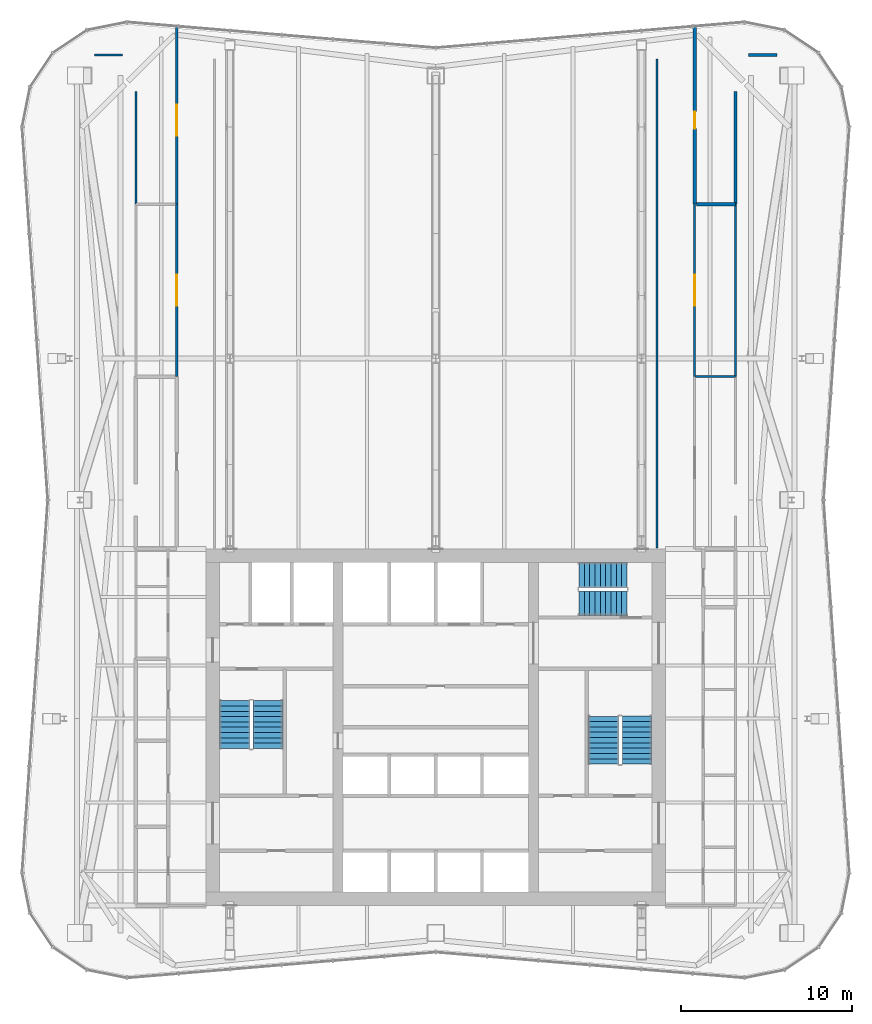
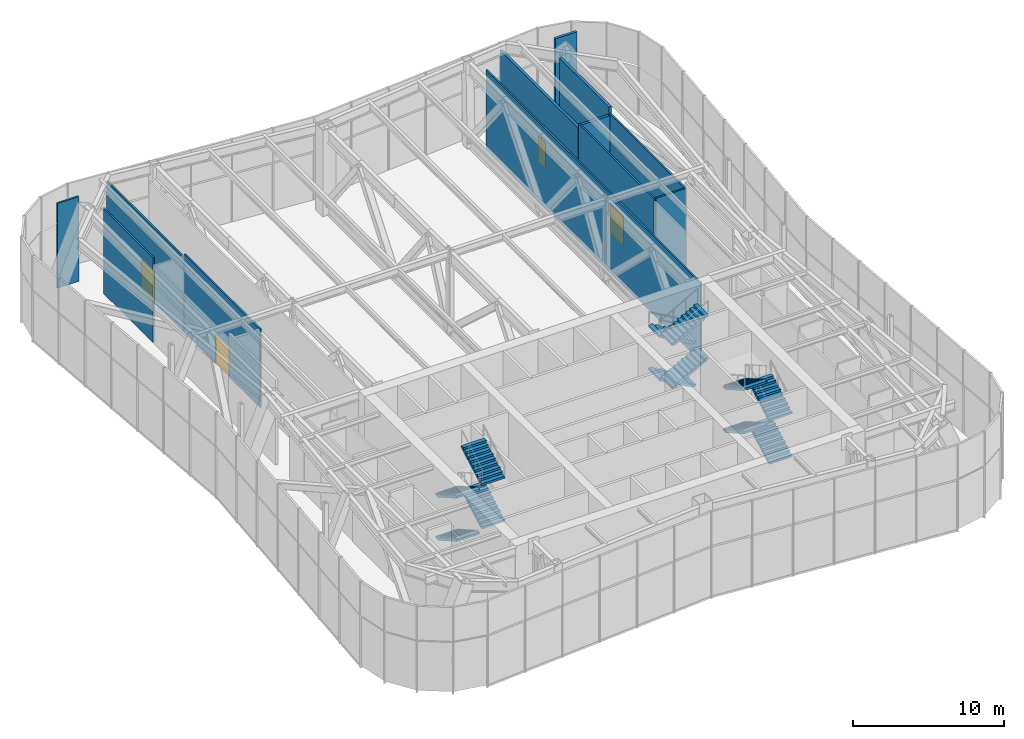
# One storey, part 14 of 17: 12 stair flights, 12 walls, 4 doors, 4 openings, 3 elements without a shape of their own.
"""IFC4 building model written with IfcOpenShell, lengths in metres."""

from ifc_helpers import new_model, si_unit, direction, frame, frame_2d, origin, place, context, subcontext, project, spatial, polyline, rectangle, outline, extrude, material, layer, layer_set, type_object, element, fill, aggregate, save


model = new_model("IFC4")

# Units and contexts
model_context = context("Model", 3, precision=1e-05, world=origin(), true_north=direction((0.0, 1.0)))
body_context = subcontext(model_context, "Body", "Model", "MODEL_VIEW")
ifc_project = project(units=[si_unit("LENGTHUNIT", "METRE"), si_unit("AREAUNIT", "SQUARE_METRE"), si_unit("VOLUMEUNIT", "CUBIC_METRE"), si_unit("PLANEANGLEUNIT", "RADIAN"), si_unit("MASSUNIT", "GRAM", prefix="KILO")], contexts=[model_context])

# Site, building, storey
site_placement = place(None, origin())
site = spatial("IfcSite", under=ifc_project, at=site_placement, CompositionType="ELEMENT")
building_placement = place(site_placement, origin())
building = spatial("IfcBuilding", under=site, at=building_placement, Name="Verdant Reach Tower", CompositionType="ELEMENT")
storey_placement = place(building_placement, frame((0.0, 0.0, 282.0)))
storey = spatial("IfcBuildingStorey", under=building, at=storey_placement, Name="L65 Plant", CompositionType="ELEMENT", Elevation=282.0)

# Wall, opening, door
ifc_material_1 = material(Name="Gypsum board on steel studs, fire rated", Category="steel")
ifc_layer_1 = layer(ifc_material_1, 0.125)
ifc_layer_set_1 = layer_set([ifc_layer_1], Name="SV-W2 Plant wall 125 EI 60")
wall_type_1 = type_object("IfcWallType", Name="SV-W2 Plant wall 125 EI 60", PredefinedType="PARTITIONING", material=ifc_layer_set_1)
wall_1_placement = place(storey_placement, frame((15.10009765625, 48.448974609375, 0.0), z_axis=(0.0, 0.0, 1.0), x_axis=(0.0, 1.0, 0.0)))
wall_1 = element("IfcWall", 1, at=wall_1_placement, inside=storey, type_object=wall_type_1, Name="Partition L65.08", PredefinedType="PARTITIONING", context=body_context, shape_type="SweptSolid", body=[
    extrude(rectangle(XDim=10.049072265625, YDim=0.125, at=frame_2d((5.0244140625, 0.0))), origin(), (0.0, 0.0, 1.0), 6.35009765625),
])
opening_1_placement = place(wall_1_placement, frame((4.12451171875, 0.0, 0.0)))
opening_1 = element("IfcOpeningElement", 2, at=opening_1_placement, cuts=wall_1, Name="Opening SD3", PredefinedType="OPENING", context=body_context, shape_type="SweptSolid", body=[
    extrude(rectangle(XDim=1.800048828125, YDim=2.39990234375, at=frame_2d((0.89990234375, 1.199951171875))), frame((0.0, 0.072509765625, 0.0), z_axis=(0.0, -1.0, 0.0), x_axis=(1.0, 0.0, 0.0)), (0.0, 0.0, 1.0), 0.14501953125),
])
ifc_material_2 = material(Name="Steel door leaves, fire rated", Category="steel")
door_type_1 = type_object("IfcDoorType", Name="SV-D3 Equipment door 1800x2400 FD60", OperationType="DOUBLE_DOOR_SINGLE_SWING", PredefinedType="DOOR", material=ifc_material_2)
door_1_placement = place(opening_1_placement, origin())
door_1 = element("IfcDoor", 3, at=door_1_placement, inside=storey, type_object=door_type_1, Name="Door L65-007", OperationType="DOUBLE_DOOR_SINGLE_SWING", OverallHeight=2.39990234375, OverallWidth=1.800048828125, PredefinedType="DOOR", context=body_context, shape_type="SweptSolid", body=[
    extrude(rectangle(XDim=1.800048828125, YDim=2.39990234375, at=frame_2d((0.89990234375, 1.199951171875))), frame((0.0, 0.02490234375, 0.0), z_axis=(0.0, -1.0, 0.0), x_axis=(1.0, 0.0, 0.0)), (0.0, 0.0, 1.0), 0.050048828125),
])
fill(opening_1, door_1)

# Wall
wall_2_placement = place(storey_placement, frame((15.16259765625, 48.448974609375, 0.0), z_axis=(0.0, 0.0, 1.0), x_axis=(1.0, 0.0, 0.0)))
element("IfcWall", 4, at=wall_2_placement, inside=storey, type_object=wall_type_1, Name="Partition L65.15", PredefinedType="PARTITIONING", context=body_context, shape_type="SweptSolid", body=[
    extrude(rectangle(XDim=2.3193359375, YDim=0.125, at=frame_2d((1.15966796875, 0.0))), origin(), (0.0, 0.0, 1.0), 6.389892578125),
])

# Wall, opening, door
wall_3_placement = place(storey_placement, frame((-15.10009765625, 58.498046875, 0.0), z_axis=(0.0, 0.0, 1.0), x_axis=(0.0, -1.0, 0.0)))
wall_3 = element("IfcWall", 5, at=wall_3_placement, inside=storey, type_object=wall_type_1, Name="Partition L65.24", PredefinedType="PARTITIONING", context=body_context, shape_type="SweptSolid", body=[
    extrude(rectangle(XDim=10.049072265625, YDim=0.125, at=frame_2d((5.0244140625, 0.0))), origin(), (0.0, 0.0, 1.0), 6.35009765625),
])
opening_2_placement = place(wall_3_placement, frame((4.12451171875, 0.0, 0.0)))
opening_2 = element("IfcOpeningElement", 6, at=opening_2_placement, cuts=wall_3, Name="Opening SD3", PredefinedType="OPENING", context=body_context, shape_type="SweptSolid", body=[
    extrude(rectangle(XDim=1.800048828125, YDim=2.39990234375, at=frame_2d((0.89990234375, 1.199951171875))), frame((0.0, 0.072509765625, 0.0), z_axis=(0.0, -1.0, 0.0), x_axis=(1.0, 0.0, 0.0)), (0.0, 0.0, 1.0), 0.14501953125),
])
door_2_placement = place(opening_2_placement, origin())
door_2 = element("IfcDoor", 7, at=door_2_placement, inside=storey, type_object=door_type_1, Name="Door L65-015", OperationType="DOUBLE_DOOR_SINGLE_SWING", OverallHeight=2.39990234375, OverallWidth=1.800048828125, PredefinedType="DOOR", context=body_context, shape_type="SweptSolid", body=[
    extrude(rectangle(XDim=1.800048828125, YDim=2.39990234375, at=frame_2d((0.89990234375, 1.199951171875))), frame((0.0, 0.02490234375, 0.0), z_axis=(0.0, -1.0, 0.0), x_axis=(1.0, 0.0, 0.0)), (0.0, 0.0, 1.0), 0.050048828125),
])
fill(opening_2, door_2)

wall_4_placement = place(storey_placement, frame((-15.10009765625, 68.83837890625, 0.0), z_axis=(0.0, 0.0, 1.0), x_axis=(0.0, -1.0, 0.0)))
wall_4 = element("IfcWall", 8, at=wall_4_placement, inside=storey, type_object=wall_type_1, Name="Partition L65.25", PredefinedType="PARTITIONING", context=body_context, shape_type="SweptSolid", body=[
    extrude(rectangle(XDim=10.34033203125, YDim=0.125, at=frame_2d((5.170166015625, 0.0))), origin(), (0.0, 0.0, 1.0), 6.0400390625),
])
opening_3_placement = place(wall_4_placement, frame((4.535888671875, 0.0, 0.0)))
opening_3 = element("IfcOpeningElement", 9, at=opening_3_placement, cuts=wall_4, Name="Opening SD3", PredefinedType="OPENING", context=body_context, shape_type="SweptSolid", body=[
    extrude(rectangle(XDim=1.800048828125, YDim=2.39990234375, at=frame_2d((0.89990234375, 1.199951171875))), frame((0.0, 0.072509765625, 0.0), z_axis=(0.0, -1.0, 0.0), x_axis=(1.0, 0.0, 0.0)), (0.0, 0.0, 1.0), 0.14501953125),
])
door_3_placement = place(opening_3_placement, origin())
door_3 = element("IfcDoor", 10, at=door_3_placement, inside=storey, type_object=door_type_1, Name="Door L65-016", OperationType="DOUBLE_DOOR_SINGLE_SWING", OverallHeight=2.39990234375, OverallWidth=1.800048828125, PredefinedType="DOOR", context=body_context, shape_type="SweptSolid", body=[
    extrude(rectangle(XDim=1.800048828125, YDim=2.39990234375, at=frame_2d((0.89990234375, 1.199951171875))), frame((0.0, 0.02490234375, 0.0), z_axis=(0.0, -1.0, 0.0), x_axis=(1.0, 0.0, 0.0)), (0.0, 0.0, 1.0), 0.050048828125),
])
fill(opening_3, door_3)

# Walls
wall_5_placement = place(storey_placement, frame((12.89990234375, 38.449951171875, 0.0), z_axis=(0.0, 0.0, 1.0), x_axis=(0.0, 1.0, 0.0)))
element("IfcWall", 11, at=wall_5_placement, inside=storey, type_object=wall_type_1, Name="Partition L65.33", PredefinedType="PARTITIONING", context=body_context, shape_type="SweptSolid", body=[
    extrude(rectangle(XDim=28.508056640625, YDim=0.125, at=frame_2d((14.25390625, 0.0))), origin(), (0.0, 0.0, 1.0), 6.35009765625),
])
wall_6_placement = place(storey_placement, frame((17.48193359375, 58.49609375, 0.0), z_axis=(0.0, 0.0, 1.0), x_axis=(0.0, -1.0, 0.0)))
element("IfcWall", 12, at=wall_6_placement, inside=storey, type_object=wall_type_1, Name="Partition L65.43", PredefinedType="PARTITIONING", context=body_context, shape_type="SweptSolid", body=[
    extrude(rectangle(XDim=10.045166015625, YDim=0.125, at=frame_2d((5.0224609375, 0.0))), origin(), (0.0, 0.0, 1.0), 6.35009765625),
])
wall_7_placement = place(storey_placement, frame((-17.48193359375, 58.5, 0.0), z_axis=(0.0, 0.0, 1.0), x_axis=(0.0, 1.0, 0.0)))
element("IfcWall", 13, at=wall_7_placement, inside=storey, type_object=wall_type_1, Name="Partition L65.57", PredefinedType="PARTITIONING", context=body_context, shape_type="SweptSolid", body=[
    extrude(rectangle(XDim=6.5791015625, YDim=0.125, at=frame_2d((3.28955078125, 0.0))), origin(), (0.0, 0.0, 1.0), 6.8701171875),
])
wall_8_placement = place(storey_placement, frame((-18.25, 67.199951171875, 0.0), z_axis=(0.0, 0.0, 1.0), x_axis=(-1.0, 0.0, 0.0)))
element("IfcWall", 14, at=wall_8_placement, inside=storey, type_object=wall_type_1, Name="Partition L65.58", PredefinedType="PARTITIONING", context=body_context, shape_type="SweptSolid", body=[
    extrude(rectangle(XDim=1.64990234375, YDim=0.125, at=frame_2d((0.824951171875, 0.0))), origin(), (0.0, 0.0, 1.0), 6.8701171875),
])

# Wall, opening, door
ifc_material_3 = material(Name="Calcium silicate board on steel studs, fire rated", Category="steel")
ifc_layer_2 = layer(ifc_material_3, 0.199951171875)
ifc_layer_set_2 = layer_set([ifc_layer_2], Name="SV-W3 Fire wall 200 EI 120")
wall_type_2 = type_object("IfcWallType", Name="SV-W3 Fire wall 200 EI 120", PredefinedType="PARTITIONING", material=ifc_layer_set_2)
wall_9_placement = place(storey_placement, frame((15.10009765625, 58.498046875, 0.0), z_axis=(0.0, 0.0, 1.0), x_axis=(0.0, 1.0, 0.0)))
wall_9 = element("IfcWall", 15, at=wall_9_placement, inside=storey, type_object=wall_type_2, Name="Partition L65.09", PredefinedType="PARTITIONING", context=body_context, shape_type="SweptSolid", body=[
    extrude(rectangle(XDim=10.34033203125, YDim=0.199951171875, at=frame_2d((5.170166015625, 0.0))), origin(), (0.0, 0.0, 1.0), 6.0400390625),
])
opening_4_placement = place(wall_9_placement, frame((4.404541015625, 0.0, 0.0)))
opening_4 = element("IfcOpeningElement", 16, at=opening_4_placement, cuts=wall_9, Name="Opening SD4", PredefinedType="OPENING", context=body_context, shape_type="SweptSolid", body=[
    extrude(rectangle(XDim=1.0, YDim=2.10009765625, at=frame_2d((0.5, 1.050048828125))), frame((0.0, 0.10986328125, 0.0), z_axis=(0.0, -1.0, 0.0), x_axis=(1.0, 0.0, 0.0)), (0.0, 0.0, 1.0), 0.219970703125),
])
ifc_material_4 = material(Name="Steel door leaf, fire rated", Category="steel")
door_type_2 = type_object("IfcDoorType", Name="SV-D4 Door 1000x2100 FD120", OperationType="NOTDEFINED", PredefinedType="DOOR", material=ifc_material_4)
door_4_placement = place(opening_4_placement, origin())
door_4 = element("IfcDoor", 17, at=door_4_placement, inside=storey, type_object=door_type_2, Name="Door L65-008", OperationType="SINGLE_SWING_LEFT", OverallHeight=2.10009765625, OverallWidth=1.0, PredefinedType="DOOR", context=body_context, shape_type="SweptSolid", body=[
    extrude(rectangle(XDim=1.0, YDim=2.10009765625, at=frame_2d((0.5, 1.050048828125))), frame((0.0, 0.02490234375, 0.0), z_axis=(0.0, -1.0, 0.0), x_axis=(1.0, 0.0, 0.0)), (0.0, 0.0, 1.0), 0.050048828125),
])
fill(opening_4, door_4)

# Walls
wall_10_placement = place(storey_placement, frame((15.199951171875, 58.498046875, 0.0), z_axis=(0.0, 0.0, 1.0), x_axis=(1.0, 0.0, 0.0)))
element("IfcWall", 18, at=wall_10_placement, inside=storey, type_object=wall_type_2, Name="Partition L65.16", PredefinedType="PARTITIONING", context=body_context, shape_type="SweptSolid", body=[
    extrude(rectangle(XDim=2.281982421875, YDim=0.199951171875, at=frame_2d((1.14111328125, 0.0))), origin(), (0.0, 0.0, 1.0), 6.239990234375),
])
wall_11_placement = place(storey_placement, frame((19.89990234375, 67.199951171875, 0.0), z_axis=(0.0, 0.0, 1.0), x_axis=(-1.0, 0.0, 0.0)))
element("IfcWall", 19, at=wall_11_placement, inside=storey, type_object=wall_type_2, Name="Partition L65.44", PredefinedType="PARTITIONING", context=body_context, shape_type="SweptSolid", body=[
    extrude(rectangle(XDim=1.64990234375, YDim=0.199951171875, at=frame_2d((0.824951171875, 0.0))), origin(), (0.0, 0.0, 1.0), 6.8701171875),
])
wall_12_placement = place(storey_placement, frame((17.48193359375, 65.0791015625, 0.0), z_axis=(0.0, 0.0, 1.0), x_axis=(0.0, -1.0, 0.0)))
element("IfcWall", 20, at=wall_12_placement, inside=storey, type_object=wall_type_2, Name="Partition L65.45", PredefinedType="PARTITIONING", context=body_context, shape_type="SweptSolid", body=[
    extrude(rectangle(XDim=6.5791015625, YDim=0.199951171875, at=frame_2d((3.28955078125, 0.0))), origin(), (0.0, 0.0, 1.0), 6.8701171875),
])

# Stair, stair flights
ifc_material_5 = material(Name="Concrete C40/50", Category="concrete")
stair_type = type_object("IfcStairType", Name="CO-STAIR", PredefinedType="HALF_TURN_STAIR", material=ifc_material_5)
stair_1_placement = place(storey_placement, origin())
stair_1 = element("IfcStair", 21, at=stair_1_placement, inside=storey, type_object=stair_type, Name="L65 Plant Exit stair 1", PredefinedType="HALF_TURN_STAIR")
stair_flight_type = type_object("IfcStairFlightType", Name="CO-STAIR-FLIGHT", PredefinedType="STRAIGHT", material=ifc_material_5)
stair_flight_1_placement = place(storey_placement, frame((-11.72509765625, 29.550048828125, 0.0), z_axis=(0.0, 0.0, 1.0), x_axis=(0.0, -1.0, 0.0)))
stair_flight_1 = element("IfcStairFlight", 22, at=stair_flight_1_placement, type_object=stair_flight_type, Name="ST-1 flight 1", NumberOfRisers=10, NumberOfTreads=9, PredefinedType="STRAIGHT", RiserHeight=0.175, TreadLength=0.31, context=body_context, shape_type="SweptSolid", body=[
    extrude(outline(polyline([(0.0, 0.0), (0.0, 0.175048828125), (0.31005859375, 0.175048828125), (0.31005859375, 0.35009765625), (0.6201171875, 0.35009765625), (0.6201171875, 0.52490234375), (0.929931640625, 0.52490234375), (0.929931640625, 0.699951171875), (1.239990234375, 0.699951171875), (1.239990234375, 0.875), (1.550048828125, 0.875), (1.550048828125, 1.050048828125), (1.860107421875, 1.050048828125), (1.860107421875, 1.22509765625), (2.169921875, 1.22509765625), (2.169921875, 1.39990234375), (2.47998046875, 1.39990234375), (2.47998046875, 1.574951171875), (2.7900390625, 1.574951171875), (2.7900390625, 1.75), (2.7900390625, 1.40283203125), (0.304931640625, 0.0), (0.0, 0.0)])), frame((0.0, 0.875, 0.0), z_axis=(0.0, -1.0, 0.0), x_axis=(1.0, 0.0, 0.0)), (0.0, 0.0, 1.0), 1.75),
])
stair_flight_2_placement = place(storey_placement, frame((-9.77490234375, 26.760009765625, 1.75), z_axis=(0.0, 0.0, 1.0), x_axis=(0.0, 1.0, 0.0)))
stair_flight_2 = element("IfcStairFlight", 23, at=stair_flight_2_placement, type_object=stair_flight_type, Name="ST-1 flight 2", NumberOfRisers=10, NumberOfTreads=9, PredefinedType="STRAIGHT", RiserHeight=0.175, TreadLength=0.31, context=body_context, shape_type="SweptSolid", body=[
    extrude(outline(polyline([(0.0, 0.0), (0.0, 0.175048828125), (0.31005859375, 0.175048828125), (0.31005859375, 0.35009765625), (0.6201171875, 0.35009765625), (0.6201171875, 0.52490234375), (0.929931640625, 0.52490234375), (0.929931640625, 0.699951171875), (1.239990234375, 0.699951171875), (1.239990234375, 0.875), (1.550048828125, 0.875), (1.550048828125, 1.050048828125), (1.860107421875, 1.050048828125), (1.860107421875, 1.22509765625), (2.169921875, 1.22509765625), (2.169921875, 1.39990234375), (2.47998046875, 1.39990234375), (2.47998046875, 1.574951171875), (2.7900390625, 1.574951171875), (2.7900390625, 1.75), (2.7900390625, 1.40283203125), (0.304931640625, 0.0), (0.0, 0.0)])), frame((0.0, 0.875, 0.0), z_axis=(0.0, -1.0, 0.0), x_axis=(1.0, 0.0, 0.0)), (0.0, 0.0, 1.0), 1.75),
])
stair_flight_3_placement = place(storey_placement, frame((-11.72509765625, 29.550048828125, 3.5), z_axis=(0.0, 0.0, 1.0), x_axis=(0.0, -1.0, 0.0)))
stair_flight_3 = element("IfcStairFlight", 24, at=stair_flight_3_placement, type_object=stair_flight_type, Name="ST-1 flight 3", NumberOfRisers=10, NumberOfTreads=9, PredefinedType="STRAIGHT", RiserHeight=0.175, TreadLength=0.31, context=body_context, shape_type="SweptSolid", body=[
    extrude(outline(polyline([(0.0, 0.0), (0.0, 0.175048828125), (0.31005859375, 0.175048828125), (0.31005859375, 0.35009765625), (0.6201171875, 0.35009765625), (0.6201171875, 0.52490234375), (0.929931640625, 0.52490234375), (0.929931640625, 0.699951171875), (1.239990234375, 0.699951171875), (1.239990234375, 0.875), (1.550048828125, 0.875), (1.550048828125, 1.050048828125), (1.860107421875, 1.050048828125), (1.860107421875, 1.22509765625), (2.169921875, 1.22509765625), (2.169921875, 1.39990234375), (2.47998046875, 1.39990234375), (2.47998046875, 1.574951171875), (2.7900390625, 1.574951171875), (2.7900390625, 1.75), (2.7900390625, 1.40283203125), (0.304931640625, 0.0), (0.0, 0.0)])), frame((0.0, 0.875, 0.0), z_axis=(0.0, -1.0, 0.0), x_axis=(1.0, 0.0, 0.0)), (0.0, 0.0, 1.0), 1.75),
])
stair_flight_4_placement = place(storey_placement, frame((-9.77490234375, 26.760009765625, 5.25), z_axis=(0.0, 0.0, 1.0), x_axis=(0.0, 1.0, 0.0)))
stair_flight_4 = element("IfcStairFlight", 25, at=stair_flight_4_placement, type_object=stair_flight_type, Name="ST-1 flight 4", NumberOfRisers=10, NumberOfTreads=9, PredefinedType="STRAIGHT", RiserHeight=0.175, TreadLength=0.31, context=body_context, shape_type="SweptSolid", body=[
    extrude(outline(polyline([(0.0, 0.0), (0.0, 0.175048828125), (0.31005859375, 0.175048828125), (0.31005859375, 0.35009765625), (0.6201171875, 0.35009765625), (0.6201171875, 0.52490234375), (0.929931640625, 0.52490234375), (0.929931640625, 0.699951171875), (1.239990234375, 0.699951171875), (1.239990234375, 0.875), (1.550048828125, 0.875), (1.550048828125, 1.050048828125), (1.860107421875, 1.050048828125), (1.860107421875, 1.22509765625), (2.169921875, 1.22509765625), (2.169921875, 1.39990234375), (2.47998046875, 1.39990234375), (2.47998046875, 1.574951171875), (2.7900390625, 1.574951171875), (2.7900390625, 1.75), (2.7900390625, 1.40283203125), (0.304931640625, 0.0), (0.0, 0.0)])), frame((0.0, 0.875, 0.0), z_axis=(0.0, -1.0, 0.0), x_axis=(1.0, 0.0, 0.0)), (0.0, 0.0, 1.0), 1.75),
])
aggregate(stair_1, [stair_flight_1, stair_flight_2, stair_flight_3, stair_flight_4])

stair_2_placement = place(storey_placement, origin())
stair_2 = element("IfcStair", 26, at=stair_2_placement, inside=storey, type_object=stair_type, Name="L65 Plant Exit stair 2", PredefinedType="HALF_TURN_STAIR")
stair_flight_5_placement = place(storey_placement, frame((11.72509765625, 25.85009765625, 0.0), z_axis=(0.0, 0.0, 1.0), x_axis=(0.0, 1.0, 0.0)))
stair_flight_5 = element("IfcStairFlight", 27, at=stair_flight_5_placement, type_object=stair_flight_type, Name="ST-2 flight 1", NumberOfRisers=10, NumberOfTreads=9, PredefinedType="STRAIGHT", RiserHeight=0.175, TreadLength=0.31, context=body_context, shape_type="SweptSolid", body=[
    extrude(outline(polyline([(0.0, 0.0), (0.0, 0.175048828125), (0.31005859375, 0.175048828125), (0.31005859375, 0.35009765625), (0.6201171875, 0.35009765625), (0.6201171875, 0.52490234375), (0.929931640625, 0.52490234375), (0.929931640625, 0.699951171875), (1.239990234375, 0.699951171875), (1.239990234375, 0.875), (1.550048828125, 0.875), (1.550048828125, 1.050048828125), (1.860107421875, 1.050048828125), (1.860107421875, 1.22509765625), (2.169921875, 1.22509765625), (2.169921875, 1.39990234375), (2.47998046875, 1.39990234375), (2.47998046875, 1.574951171875), (2.7900390625, 1.574951171875), (2.7900390625, 1.75), (2.7900390625, 1.40283203125), (0.304931640625, 0.0), (0.0, 0.0)])), frame((0.0, 0.875, 0.0), z_axis=(0.0, -1.0, 0.0), x_axis=(1.0, 0.0, 0.0)), (0.0, 0.0, 1.0), 1.75),
])
stair_flight_6_placement = place(storey_placement, frame((9.77490234375, 28.639892578125, 1.75), z_axis=(0.0, 0.0, 1.0), x_axis=(0.0, -1.0, 0.0)))
stair_flight_6 = element("IfcStairFlight", 28, at=stair_flight_6_placement, type_object=stair_flight_type, Name="ST-2 flight 2", NumberOfRisers=10, NumberOfTreads=9, PredefinedType="STRAIGHT", RiserHeight=0.175, TreadLength=0.31, context=body_context, shape_type="SweptSolid", body=[
    extrude(outline(polyline([(0.0, 0.0), (0.0, 0.175048828125), (0.31005859375, 0.175048828125), (0.31005859375, 0.35009765625), (0.6201171875, 0.35009765625), (0.6201171875, 0.52490234375), (0.929931640625, 0.52490234375), (0.929931640625, 0.699951171875), (1.239990234375, 0.699951171875), (1.239990234375, 0.875), (1.550048828125, 0.875), (1.550048828125, 1.050048828125), (1.860107421875, 1.050048828125), (1.860107421875, 1.22509765625), (2.169921875, 1.22509765625), (2.169921875, 1.39990234375), (2.47998046875, 1.39990234375), (2.47998046875, 1.574951171875), (2.7900390625, 1.574951171875), (2.7900390625, 1.75), (2.7900390625, 1.40283203125), (0.304931640625, 0.0), (0.0, 0.0)])), frame((0.0, 0.875, 0.0), z_axis=(0.0, -1.0, 0.0), x_axis=(1.0, 0.0, 0.0)), (0.0, 0.0, 1.0), 1.75),
])
stair_flight_7_placement = place(storey_placement, frame((11.72509765625, 25.85009765625, 3.5), z_axis=(0.0, 0.0, 1.0), x_axis=(0.0, 1.0, 0.0)))
stair_flight_7 = element("IfcStairFlight", 29, at=stair_flight_7_placement, type_object=stair_flight_type, Name="ST-2 flight 3", NumberOfRisers=10, NumberOfTreads=9, PredefinedType="STRAIGHT", RiserHeight=0.175, TreadLength=0.31, context=body_context, shape_type="SweptSolid", body=[
    extrude(outline(polyline([(0.0, 0.0), (0.0, 0.175048828125), (0.31005859375, 0.175048828125), (0.31005859375, 0.35009765625), (0.6201171875, 0.35009765625), (0.6201171875, 0.52490234375), (0.929931640625, 0.52490234375), (0.929931640625, 0.699951171875), (1.239990234375, 0.699951171875), (1.239990234375, 0.875), (1.550048828125, 0.875), (1.550048828125, 1.050048828125), (1.860107421875, 1.050048828125), (1.860107421875, 1.22509765625), (2.169921875, 1.22509765625), (2.169921875, 1.39990234375), (2.47998046875, 1.39990234375), (2.47998046875, 1.574951171875), (2.7900390625, 1.574951171875), (2.7900390625, 1.75), (2.7900390625, 1.40283203125), (0.304931640625, 0.0), (0.0, 0.0)])), frame((0.0, 0.875, 0.0), z_axis=(0.0, -1.0, 0.0), x_axis=(1.0, 0.0, 0.0)), (0.0, 0.0, 1.0), 1.75),
])
stair_flight_8_placement = place(storey_placement, frame((9.77490234375, 28.639892578125, 5.25), z_axis=(0.0, 0.0, 1.0), x_axis=(0.0, -1.0, 0.0)))
stair_flight_8 = element("IfcStairFlight", 30, at=stair_flight_8_placement, type_object=stair_flight_type, Name="ST-2 flight 4", NumberOfRisers=10, NumberOfTreads=9, PredefinedType="STRAIGHT", RiserHeight=0.175, TreadLength=0.31, context=body_context, shape_type="SweptSolid", body=[
    extrude(outline(polyline([(0.0, 0.0), (0.0, 0.175048828125), (0.31005859375, 0.175048828125), (0.31005859375, 0.35009765625), (0.6201171875, 0.35009765625), (0.6201171875, 0.52490234375), (0.929931640625, 0.52490234375), (0.929931640625, 0.699951171875), (1.239990234375, 0.699951171875), (1.239990234375, 0.875), (1.550048828125, 0.875), (1.550048828125, 1.050048828125), (1.860107421875, 1.050048828125), (1.860107421875, 1.22509765625), (2.169921875, 1.22509765625), (2.169921875, 1.39990234375), (2.47998046875, 1.39990234375), (2.47998046875, 1.574951171875), (2.7900390625, 1.574951171875), (2.7900390625, 1.75), (2.7900390625, 1.40283203125), (0.304931640625, 0.0), (0.0, 0.0)])), frame((0.0, 0.875, 0.0), z_axis=(0.0, -1.0, 0.0), x_axis=(1.0, 0.0, 0.0)), (0.0, 0.0, 1.0), 1.75),
])
aggregate(stair_2, [stair_flight_5, stair_flight_6, stair_flight_7, stair_flight_8])

stair_3_placement = place(storey_placement, origin())
stair_3 = element("IfcStair", 31, at=stair_3_placement, inside=storey, type_object=stair_type, Name="L65 Plant Exit stair 3", PredefinedType="HALF_TURN_STAIR")
stair_flight_9_placement = place(storey_placement, frame((11.14990234375, 36.875, 0.0), z_axis=(0.0, 0.0, 1.0), x_axis=(-1.0, 0.0, 0.0)))
stair_flight_9 = element("IfcStairFlight", 32, at=stair_flight_9_placement, type_object=stair_flight_type, Name="ST-3 flight 1", NumberOfRisers=10, NumberOfTreads=9, PredefinedType="STRAIGHT", RiserHeight=0.175, TreadLength=0.31, context=body_context, shape_type="SweptSolid", body=[
    extrude(outline(polyline([(0.0, 0.0), (0.0, 0.175048828125), (0.31005859375, 0.175048828125), (0.31005859375, 0.35009765625), (0.6201171875, 0.35009765625), (0.6201171875, 0.52490234375), (0.929931640625, 0.52490234375), (0.929931640625, 0.699951171875), (1.239990234375, 0.699951171875), (1.239990234375, 0.875), (1.550048828125, 0.875), (1.550048828125, 1.050048828125), (1.860107421875, 1.050048828125), (1.860107421875, 1.22509765625), (2.169921875, 1.22509765625), (2.169921875, 1.39990234375), (2.47998046875, 1.39990234375), (2.47998046875, 1.574951171875), (2.7900390625, 1.574951171875), (2.7900390625, 1.75), (2.7900390625, 1.40283203125), (0.304931640625, 0.0), (0.0, 0.0)])), frame((0.0, 0.72509765625, 0.0), z_axis=(0.0, -1.0, 0.0), x_axis=(1.0, 0.0, 0.0)), (0.0, 0.0, 1.0), 1.449951171875),
])
stair_flight_10_placement = place(storey_placement, frame((8.360107421875, 35.22509765625, 1.75), z_axis=(0.0, 0.0, 1.0), x_axis=(1.0, 0.0, 0.0)))
stair_flight_10 = element("IfcStairFlight", 33, at=stair_flight_10_placement, type_object=stair_flight_type, Name="ST-3 flight 2", NumberOfRisers=10, NumberOfTreads=9, PredefinedType="STRAIGHT", RiserHeight=0.175, TreadLength=0.31, context=body_context, shape_type="SweptSolid", body=[
    extrude(outline(polyline([(0.0, 0.0), (0.0, 0.175048828125), (0.31005859375, 0.175048828125), (0.31005859375, 0.35009765625), (0.6201171875, 0.35009765625), (0.6201171875, 0.52490234375), (0.929931640625, 0.52490234375), (0.929931640625, 0.699951171875), (1.239990234375, 0.699951171875), (1.239990234375, 0.875), (1.550048828125, 0.875), (1.550048828125, 1.050048828125), (1.860107421875, 1.050048828125), (1.860107421875, 1.22509765625), (2.169921875, 1.22509765625), (2.169921875, 1.39990234375), (2.47998046875, 1.39990234375), (2.47998046875, 1.574951171875), (2.7900390625, 1.574951171875), (2.7900390625, 1.75), (2.7900390625, 1.40283203125), (0.304931640625, 0.0), (0.0, 0.0)])), frame((0.0, 0.72509765625, 0.0), z_axis=(0.0, -1.0, 0.0), x_axis=(1.0, 0.0, 0.0)), (0.0, 0.0, 1.0), 1.449951171875),
])
stair_flight_11_placement = place(storey_placement, frame((11.14990234375, 36.875, 3.5), z_axis=(0.0, 0.0, 1.0), x_axis=(-1.0, 0.0, 0.0)))
stair_flight_11 = element("IfcStairFlight", 34, at=stair_flight_11_placement, type_object=stair_flight_type, Name="ST-3 flight 3", NumberOfRisers=10, NumberOfTreads=9, PredefinedType="STRAIGHT", RiserHeight=0.175, TreadLength=0.31, context=body_context, shape_type="SweptSolid", body=[
    extrude(outline(polyline([(0.0, 0.0), (0.0, 0.175048828125), (0.31005859375, 0.175048828125), (0.31005859375, 0.35009765625), (0.6201171875, 0.35009765625), (0.6201171875, 0.52490234375), (0.929931640625, 0.52490234375), (0.929931640625, 0.699951171875), (1.239990234375, 0.699951171875), (1.239990234375, 0.875), (1.550048828125, 0.875), (1.550048828125, 1.050048828125), (1.860107421875, 1.050048828125), (1.860107421875, 1.22509765625), (2.169921875, 1.22509765625), (2.169921875, 1.39990234375), (2.47998046875, 1.39990234375), (2.47998046875, 1.574951171875), (2.7900390625, 1.574951171875), (2.7900390625, 1.75), (2.7900390625, 1.40283203125), (0.304931640625, 0.0), (0.0, 0.0)])), frame((0.0, 0.72509765625, 0.0), z_axis=(0.0, -1.0, 0.0), x_axis=(1.0, 0.0, 0.0)), (0.0, 0.0, 1.0), 1.449951171875),
])
stair_flight_12_placement = place(storey_placement, frame((8.360107421875, 35.22509765625, 5.25), z_axis=(0.0, 0.0, 1.0), x_axis=(1.0, 0.0, 0.0)))
stair_flight_12 = element("IfcStairFlight", 35, at=stair_flight_12_placement, type_object=stair_flight_type, Name="ST-3 flight 4", NumberOfRisers=10, NumberOfTreads=9, PredefinedType="STRAIGHT", RiserHeight=0.175, TreadLength=0.31, context=body_context, shape_type="SweptSolid", body=[
    extrude(outline(polyline([(0.0, 0.0), (0.0, 0.175048828125), (0.31005859375, 0.175048828125), (0.31005859375, 0.35009765625), (0.6201171875, 0.35009765625), (0.6201171875, 0.52490234375), (0.929931640625, 0.52490234375), (0.929931640625, 0.699951171875), (1.239990234375, 0.699951171875), (1.239990234375, 0.875), (1.550048828125, 0.875), (1.550048828125, 1.050048828125), (1.860107421875, 1.050048828125), (1.860107421875, 1.22509765625), (2.169921875, 1.22509765625), (2.169921875, 1.39990234375), (2.47998046875, 1.39990234375), (2.47998046875, 1.574951171875), (2.7900390625, 1.574951171875), (2.7900390625, 1.75), (2.7900390625, 1.40283203125), (0.304931640625, 0.0), (0.0, 0.0)])), frame((0.0, 0.72509765625, 0.0), z_axis=(0.0, -1.0, 0.0), x_axis=(1.0, 0.0, 0.0)), (0.0, 0.0, 1.0), 1.449951171875),
])
aggregate(stair_3, [stair_flight_9, stair_flight_10, stair_flight_11, stair_flight_12])

save(model, "model.ifc")
